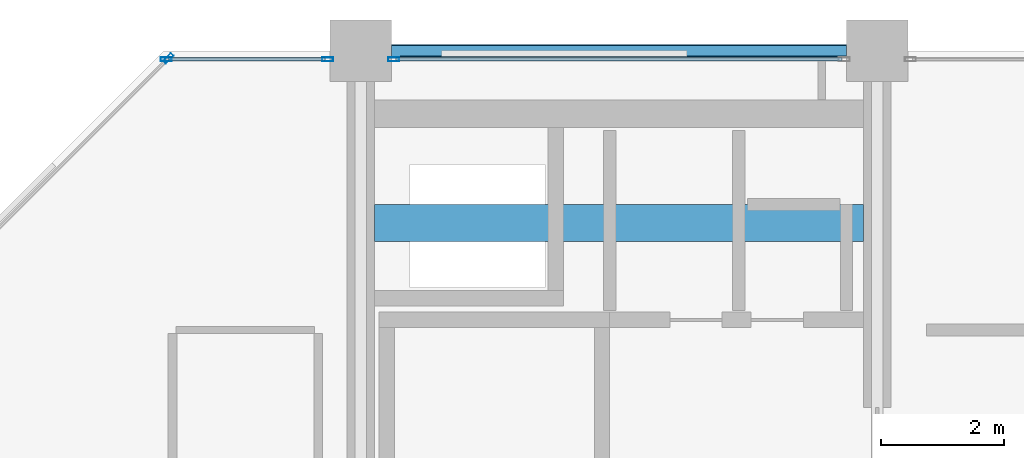
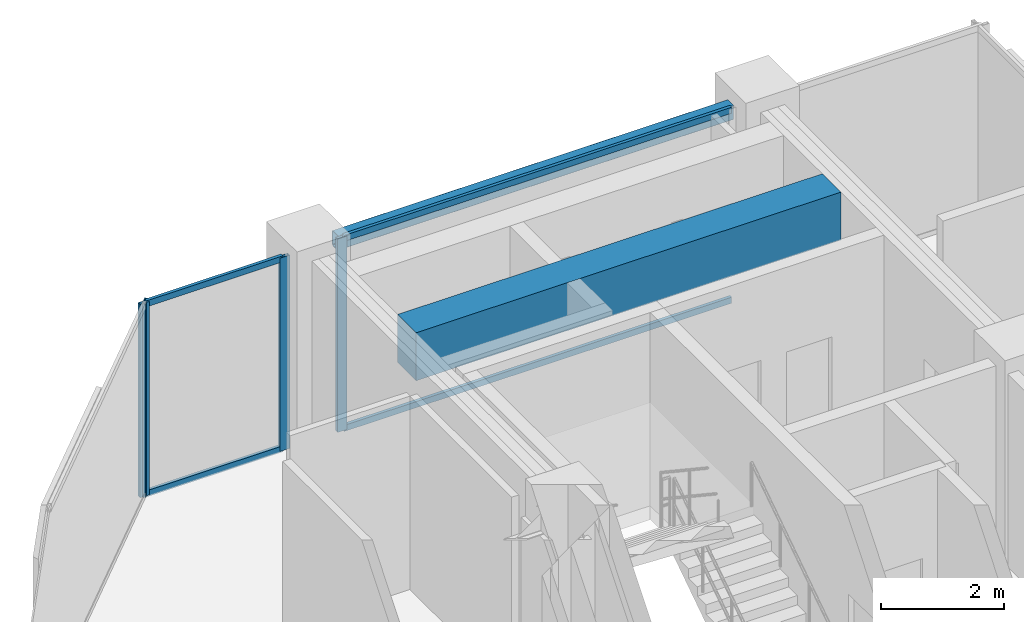
# One storey, part 17 of 25: 8 members, 2 beams, 3 elements without a shape of their own.
"""IFC4 building model written with IfcOpenShell, lengths in metres."""

import ifcopenshell
import ifcopenshell.guid

model = None  # the IFC model being written
_history = None  # IfcOwnerHistory: only IFC2X3 demands one
_inside = {}  # id of a spatial element -> (the spatial element, [elements in it])
_under = {}  # id of a project, library or spatial element -> (it, [spatial elements below it])
_declared = {}  # id of a project -> (the project, [libraries it declares])
_typed = {}  # id of a type object -> (the type object, [elements of that type])
_made_of = {}  # id of a material, layer set ... -> (it, [elements and type objects made of it])


def new_model(schema):
    """Start an empty IFC model of exactly this schema.

    Asked for "IFC4X3", IfcOpenShell would pick the latest addendum, in which some entities
    have other attributes; the version numbers below select the first issue.
    IFC2X3 requires an IfcOwnerHistory on every rooted entity: one is made here for all.
    """
    global model, _history
    if schema == "IFC4X3":
        model = ifcopenshell.file(schema_version=(4, 3, 0, 0))
    else:
        model = ifcopenshell.file(schema=schema)
    _inside.clear()
    _under.clear()
    _declared.clear()
    _typed.clear()
    _made_of.clear()
    _history = None
    if model.schema == "IFC2X3":
        org = make("IfcOrganization", Name="unknown")
        user = make(
            "IfcPersonAndOrganization",
            ThePerson=make("IfcPerson", FamilyName="unknown"),
            TheOrganization=org,
        )
        app = make(
            "IfcApplication",
            ApplicationDeveloper=org,
            Version="unknown",
            ApplicationFullName="unknown",
            ApplicationIdentifier="unknown",
        )
        _history = make(
            "IfcOwnerHistory",
            OwningUser=user,
            OwningApplication=app,
            ChangeAction="ADDED",
            CreationDate=0,
        )
    return model


def make(cls, **values):
    """One entity of the class cls with the attributes given. An attribute that is None is left unset."""
    return model.create_entity(
        cls, **{name: value for name, value in values.items() if value is not None}
    )


def rooted(cls, **values):
    """An entity with a GlobalId (a new one), such as an element, a storey or a relation."""
    return make(cls, GlobalId=ifcopenshell.guid.new(), OwnerHistory=_history, **values)


def si_unit(unit_type, name, prefix=None):
    """IfcSIUnit, for example si_unit("LENGTHUNIT", "METRE", prefix="MILLI")."""
    return make("IfcSIUnit", UnitType=unit_type, Prefix=prefix, Name=name)


def assignment(units):
    """IfcUnitAssignment: the units of a project."""
    return None if units is None else make("IfcUnitAssignment", Units=units)


def point(xyz):
    """IfcCartesianPoint."""
    return None if xyz is None else make("IfcCartesianPoint", Coordinates=xyz)


def direction(xyz):
    """IfcDirection."""
    return None if xyz is None else make("IfcDirection", DirectionRatios=xyz)


def frame(location, z_axis=None, x_axis=None):
    """IfcAxis2Placement3D, a coordinate frame: its origin and axes. An axis left out is left unset."""
    return make(
        "IfcAxis2Placement3D",
        Location=point(location),
        Axis=direction(z_axis),
        RefDirection=direction(x_axis),
    )


def frame_2d(location, x_axis=None):
    """IfcAxis2Placement2D, a coordinate frame in the plane: its origin and x axis."""
    return make(
        "IfcAxis2Placement2D", Location=point(location), RefDirection=direction(x_axis)
    )


def origin():
    """The frame at (0, 0, 0) with its axes left unset."""
    return frame((0.0, 0.0, 0.0))


def origin_2d():
    """The frame at (0, 0) in the plane with its x axis left unset."""
    return frame_2d((0.0, 0.0))


def place(relative_to, where):
    """IfcLocalPlacement: puts the frame where relative to a parent placement (None: the world)."""
    return make(
        "IfcLocalPlacement", PlacementRelTo=relative_to, RelativePlacement=where
    )


def context(
    kind, dimensions, precision=None, world=None, true_north=None, identifier=None
):
    """IfcGeometricRepresentationContext, for example the 3D "Model" context."""
    return make(
        "IfcGeometricRepresentationContext",
        ContextIdentifier=identifier,
        ContextType=kind,
        CoordinateSpaceDimension=dimensions,
        Precision=precision,
        WorldCoordinateSystem=world,
        TrueNorth=true_north,
    )


def subcontext(parent, identifier, kind, view, scale=None):
    """IfcGeometricRepresentationSubContext, for example "Body" below "Model"."""
    return make(
        "IfcGeometricRepresentationSubContext",
        ContextIdentifier=identifier,
        ContextType=kind,
        ParentContext=parent,
        TargetScale=scale,
        TargetView=view,
    )


def project(units=None, contexts=None):
    """IfcProject with its units and contexts."""
    return rooted(
        "IfcProject",
        Name="project",
        RepresentationContexts=contexts,
        UnitsInContext=assignment(units),
    )


def spatial(cls, under=None, at=None, **own):
    """A site, building, storey or space (cls), placed at a placement, below another one or the project."""
    s = rooted(cls, ObjectPlacement=at, **own)
    if under is not None:
        _under.setdefault(under.id(), (under, []))[1].append(s)
    return s


def profile(cls, at=None, kind="AREA", **sizes):
    """A parametric profile (cls). Its sizes go by their IFC names, for example OverallWidth=200.0."""
    return make(cls, ProfileType=kind, Position=at, **sizes)


def rectangle(**sizes):
    """IfcRectangleProfileDef."""
    return profile("IfcRectangleProfileDef", **sizes)


def hollow_rectangle(**sizes):
    """IfcRectangleHollowProfileDef."""
    return profile("IfcRectangleHollowProfileDef", **sizes)


def extrude(swept, where, along, depth):
    """IfcExtrudedAreaSolid: the profile swept, set in the frame where, extruded along a direction by depth."""
    return make(
        "IfcExtrudedAreaSolid",
        SweptArea=swept,
        Position=where,
        ExtrudedDirection=direction(along),
        Depth=depth,
    )


def shape(context_of_items, identifier, shape_type, items):
    """IfcShapeRepresentation: the items that make up one representation, for example the "Body"."""
    return make(
        "IfcShapeRepresentation",
        ContextOfItems=context_of_items,
        RepresentationIdentifier=identifier,
        RepresentationType=shape_type,
        Items=items,
    )


def material(Name=None, Category=None):
    """IfcMaterial."""
    return make("IfcMaterial", Name=Name, Category=Category)


def layer(
    of_material, thickness, ventilated=None, Name=None, Category=None, Priority=None
):
    """IfcMaterialLayer: one layer of a wall or slab, of a material (None: an air gap)."""
    return make(
        "IfcMaterialLayer",
        Material=of_material,
        LayerThickness=thickness,
        IsVentilated=ventilated,
        Name=Name,
        Category=Category,
        Priority=Priority,
    )


def layer_set(layers, Name=None):
    """IfcMaterialLayerSet."""
    return make("IfcMaterialLayerSet", MaterialLayers=layers, LayerSetName=Name)


def material_profile(
    of_material, cross_section, Name=None, Category=None, Priority=None
):
    """IfcMaterialProfile: a cross section and its material."""
    return make(
        "IfcMaterialProfile",
        Name=Name,
        Material=of_material,
        Profile=cross_section,
        Priority=Priority,
        Category=Category,
    )


def profile_set(profiles, Name=None, composite=None):
    """IfcMaterialProfileSet."""
    return make(
        "IfcMaterialProfileSet",
        Name=Name,
        MaterialProfiles=profiles,
        CompositeProfile=composite,
    )


def made_of(thing, what):
    """Note that an element or type object is made of a material, layer set ...; save() writes the relation."""
    if what is not None:
        _made_of.setdefault(what.id(), (what, []))[1].append(thing)
    return thing


def type_object(cls, material=None, **own):
    """A type object (cls), such as IfcWallType, which elements share."""
    return made_of(rooted(cls, **own), material)


def element(
    cls,
    number,
    at=None,
    inside=None,
    cuts=None,
    type_object=None,
    material=None,
    context=None,
    identifier="Body",
    shape_type=None,
    held_by="IfcProductDefinitionShape",
    body=None,
    shapes=None,
    **own,
):
    """One element of the class cls, such as IfcWall. Its Tag is "e" and its number.

    at: its placement. inside: the storey or other place that contains it. cuts: it is an
    opening in that element (IfcRelVoidsElement). A single representation is given by context,
    identifier, shape_type and body (its items); several are given by shapes. held_by: the class
    of the entity that holds the representations. save() writes the other relations.
    """
    e = rooted(cls, Tag="e%d" % number, ObjectPlacement=at, **own)
    if body is not None:
        shapes = [shape(context, identifier, shape_type, body)]
    if shapes is not None:
        e.Representation = make(held_by, Representations=shapes)
    if inside is not None:
        _inside.setdefault(inside.id(), (inside, []))[1].append(e)
    if cuts is not None:
        rooted(
            "IfcRelVoidsElement", RelatingBuildingElement=cuts, RelatedOpeningElement=e
        )
    if type_object is not None:
        _typed.setdefault(type_object.id(), (type_object, []))[1].append(e)
    return made_of(e, material)


def aggregate(whole, parts):
    """IfcRelAggregates: a whole, such as a stair, and the parts it consists of."""
    return rooted("IfcRelAggregates", RelatingObject=whole, RelatedObjects=parts)


def save(model, path):
    """Write the relations noted so far, then the file.

    IfcRelAggregates (storeys below a building ...), IfcRelContainedInSpatialStructure (elements
    in a storey), IfcRelDefinesByType, IfcRelAssociatesMaterial and IfcRelDeclares: one each for
    every whole, place, type object, material and project.
    """
    for whole, parts in _under.values():
        aggregate(whole, parts)
    for where, things in _inside.values():
        rooted(
            "IfcRelContainedInSpatialStructure",
            RelatedElements=things,
            RelatingStructure=where,
        )
    for kind, things in _typed.values():
        rooted("IfcRelDefinesByType", RelatedObjects=things, RelatingType=kind)
    for what, things in _made_of.values():
        rooted("IfcRelAssociatesMaterial", RelatedObjects=things, RelatingMaterial=what)
    for by, libraries in _declared.values():
        rooted("IfcRelDeclares", RelatingContext=by, RelatedDefinitions=libraries)
    model.write(path)


model = new_model("IFC4")

# Units and contexts
model_context = context("Model", 3, precision=1e-05, world=origin(), true_north=direction((0.0, 1.0)))
body_context = subcontext(model_context, "Body", "Model", "MODEL_VIEW")
ifc_project = project(units=[si_unit("LENGTHUNIT", "METRE"), si_unit("AREAUNIT", "SQUARE_METRE"), si_unit("VOLUMEUNIT", "CUBIC_METRE"), si_unit("PLANEANGLEUNIT", "RADIAN"), si_unit("MASSUNIT", "GRAM", prefix="KILO")], contexts=[model_context])

# Site, building, storey
site_placement = place(None, origin())
site = spatial("IfcSite", under=ifc_project, at=site_placement, CompositionType="ELEMENT")
building_placement = place(site_placement, origin())
building = spatial("IfcBuilding", under=site, at=building_placement, Name="Nerrivon Quay Data Exchange", CompositionType="ELEMENT")
storey_placement = place(building_placement, frame((0.0, 0.0, 232.89990234375)))
storey = spatial("IfcBuildingStorey", under=building, at=storey_placement, Name="L55", CompositionType="ELEMENT", Elevation=232.89990234375)

# Beams
ifc_material_1 = material(Name="Concrete N50 (50 MPa)", Category="concrete")
ifc_material_profile_1 = material_profile(ifc_material_1, rectangle(XDim=0.60009765625, YDim=0.949951171875, at=origin_2d()), Name="RC-CB-600x950")
ifc_profile_set_1 = profile_set([ifc_material_profile_1], Name="Concrete N50 (50 MPa)")
beam_type_1 = type_object("IfcBeamType", Name="BM-CB2-600x950", PredefinedType="LINTEL", material=ifc_profile_set_1)
beam_1_placement = place(storey_placement, frame((8.625, 39.199951171875, 3.35009765625), z_axis=(1.0, 0.0, 0.0), x_axis=(0.0, 1.0, 0.0)))
element("IfcBeam", 1, at=beam_1_placement, inside=storey, type_object=beam_type_1, Name="L55 West Core Coupling Beam", PredefinedType="LINTEL", context=body_context, shape_type="SweptSolid", body=[
    extrude(rectangle(XDim=0.60009765625, YDim=0.949951171875, at=origin_2d()), origin(), (0.0, 0.0, 1.0), 7.949951171875),
])
ifc_material_2 = material(Name="Steel Grade C350L0 (350 MPa)", Category="steel")
ifc_material_profile_2 = material_profile(ifc_material_2, hollow_rectangle(XDim=0.199951171875, YDim=0.300048828125, WallThickness=0.012451171875, InnerFilletRadius=0.018798828125, OuterFilletRadius=0.03125, at=origin_2d()), Name="300x200x12.5RHS")
ifc_profile_set_2 = profile_set([ifc_material_profile_2], Name="Steel Grade C350L0 (350 MPa)")
beam_type_2 = type_object("IfcBeamType", Name="BM-SP3-300x200RHS", PredefinedType="SPANDREL", material=ifc_profile_set_2)
beam_2_placement = place(storey_placement, frame((8.89990234375, 42.0, 3.675048828125), z_axis=(1.0, 0.0, 0.0), x_axis=(0.0, 1.0, 0.0)))
element("IfcBeam", 2, at=beam_2_placement, inside=storey, type_object=beam_type_2, Name="L55 EW Girder Y=42.0 (8.4..16.8)", PredefinedType="SPANDREL", context=body_context, shape_type="SweptSolid", body=[
    extrude(hollow_rectangle(XDim=0.199951171875, YDim=0.300048828125, WallThickness=0.012451171875, InnerFilletRadius=0.018798828125, OuterFilletRadius=0.03125, at=origin_2d()), origin(), (0.0, 0.0, 1.0), 7.400146484375),
])

# Curtain wall, member
ifc_material_3 = material(Name="Anodised aluminium 6063-T6", Category="aluminium")
ifc_layer = layer(ifc_material_3, 0.195068359375)
ifc_layer_set = layer_set([ifc_layer], Name="Anodised aluminium 6063-T6")
curtain_wall_type = type_object("IfcCurtainWallType", Name="CW-SYS-06", PredefinedType="NOTDEFINED", material=ifc_layer_set)
curtain_wall_1_placement = place(storey_placement, origin())
curtain_wall_1 = element("IfcCurtainWall", 3, at=curtain_wall_1_placement, inside=storey, type_object=curtain_wall_type, Name="L55 Unitised Curtain Wall 16", PredefinedType="NOTDEFINED")
ifc_material_profile_3 = material_profile(ifc_material_3, hollow_rectangle(XDim=0.06494140625, YDim=0.179931640625, WallThickness=0.00341796875, at=origin_2d()), Name="ALU-MULL-180x65")
ifc_profile_set_3 = profile_set([ifc_material_profile_3], Name="Anodised aluminium 6063-T6")
member_type_1 = type_object("IfcMemberType", Name="CWM-180x65", PredefinedType="MULLION", material=ifc_profile_set_3)
member_1_placement = place(storey_placement, frame((5.2724609375, 41.87451171875, 0.0), z_axis=(0.0, 0.0, 1.0), x_axis=(-0.707106781187, 0.707106781187, 0.0)))
member_1 = element("IfcMember", 4, at=member_1_placement, type_object=member_type_1, Name="CW06 mullion 2", PredefinedType="MULLION", context=body_context, shape_type="SweptSolid", body=[
    extrude(hollow_rectangle(XDim=0.06494140625, YDim=0.179931640625, WallThickness=0.00341796875, at=origin_2d()), origin(), (0.0, 0.0, 1.0), 3.8251953125),
])
aggregate(curtain_wall_1, [member_1])

# Curtain wall, members
curtain_wall_2_placement = place(storey_placement, origin())
curtain_wall_2 = element("IfcCurtainWall", 5, at=curtain_wall_2_placement, inside=storey, type_object=curtain_wall_type, Name="L55 Unitised Curtain Wall 17", PredefinedType="NOTDEFINED")
member_2_placement = place(storey_placement, frame((5.237548828125, 41.860107421875, 0.0), z_axis=(0.0, 0.0, 1.0), x_axis=(0.0, 1.0, 0.0)))
member_2 = element("IfcMember", 6, at=member_2_placement, type_object=member_type_1, Name="CW06 mullion 1", PredefinedType="MULLION", context=body_context, shape_type="SweptSolid", body=[
    extrude(hollow_rectangle(XDim=0.06494140625, YDim=0.179931640625, WallThickness=0.00341796875, at=origin_2d()), origin(), (0.0, 0.0, 1.0), 3.8251953125),
])
member_3_placement = place(storey_placement, frame((7.862548828125, 41.860107421875, 0.0), z_axis=(0.0, 0.0, 1.0), x_axis=(0.0, 1.0, 0.0)))
member_3 = element("IfcMember", 7, at=member_3_placement, type_object=member_type_1, Name="CW06 mullion 2", PredefinedType="MULLION", context=body_context, shape_type="SweptSolid", body=[
    extrude(hollow_rectangle(XDim=0.06494140625, YDim=0.179931640625, WallThickness=0.00341796875, at=origin_2d()), origin(), (0.0, 0.0, 1.0), 3.8251953125),
])

# Curtain wall, member
curtain_wall_3_placement = place(storey_placement, origin())
curtain_wall_3 = element("IfcCurtainWall", 8, at=curtain_wall_3_placement, inside=storey, type_object=curtain_wall_type, Name="L55 Unitised Curtain Wall 18", PredefinedType="NOTDEFINED")
member_4_placement = place(storey_placement, frame((8.9375, 41.860107421875, 0.0), z_axis=(0.0, 0.0, 1.0), x_axis=(0.0, 1.0, 0.0)))
member_4 = element("IfcMember", 9, at=member_4_placement, type_object=member_type_1, Name="CW06 mullion 1", PredefinedType="MULLION", context=body_context, shape_type="SweptSolid", body=[
    extrude(hollow_rectangle(XDim=0.06494140625, YDim=0.179931640625, WallThickness=0.00341796875, at=origin_2d()), origin(), (0.0, 0.0, 1.0), 3.8251953125),
])

# Member
ifc_material_profile_4 = material_profile(ifc_material_3, hollow_rectangle(XDim=0.06005859375, YDim=0.1201171875, WallThickness=0.003173828125, at=origin_2d()), Name="ALU-TRAN-120x60")
ifc_profile_set_4 = profile_set([ifc_material_profile_4], Name="Anodised aluminium 6063-T6")
member_type_2 = type_object("IfcMemberType", Name="CWT-120x60", PredefinedType="USERDEFINED", material=ifc_profile_set_4)
member_5_placement = place(storey_placement, frame((5.27490234375, 41.860107421875, 0.03271484375), z_axis=(1.0, 0.0, 0.0), x_axis=(0.0, 1.0, 0.0)))
member_5 = element("IfcMember", 10, at=member_5_placement, type_object=member_type_2, Name="CW06 transom 1.1", ObjectType="TRANSOM", PredefinedType="USERDEFINED", context=body_context, shape_type="SweptSolid", body=[
    extrude(hollow_rectangle(XDim=0.06005859375, YDim=0.1201171875, WallThickness=0.003173828125, at=origin_2d()), origin(), (0.0, 0.0, 1.0), 2.550048828125),
])

member_6_placement = place(storey_placement, frame((5.27490234375, 41.860107421875, 3.79248046875), z_axis=(1.0, 0.0, 0.0), x_axis=(0.0, 1.0, 0.0)))
member_6 = element("IfcMember", 11, at=member_6_placement, type_object=member_type_2, Name="CW06 transom 1.2", ObjectType="TRANSOM", PredefinedType="USERDEFINED", context=body_context, shape_type="SweptSolid", body=[
    extrude(hollow_rectangle(XDim=0.06005859375, YDim=0.1201171875, WallThickness=0.003173828125, at=origin_2d()), origin(), (0.0, 0.0, 1.0), 2.550048828125),
])

aggregate(curtain_wall_2, [member_2, member_3, member_5, member_6])

member_7_placement = place(storey_placement, frame((8.97509765625, 41.860107421875, 0.03271484375), z_axis=(1.0, 0.0, 0.0), x_axis=(0.0, 1.0, 0.0)))
member_7 = element("IfcMember", 12, at=member_7_placement, type_object=member_type_2, Name="CW06 transom 1.1", ObjectType="TRANSOM", PredefinedType="USERDEFINED", context=body_context, shape_type="SweptSolid", body=[
    extrude(hollow_rectangle(XDim=0.06005859375, YDim=0.1201171875, WallThickness=0.003173828125, at=origin_2d()), origin(), (0.0, 0.0, 1.0), 7.25),
])

member_8_placement = place(storey_placement, frame((8.97509765625, 41.860107421875, 3.79248046875), z_axis=(1.0, 0.0, 0.0), x_axis=(0.0, 1.0, 0.0)))
member_8 = element("IfcMember", 13, at=member_8_placement, type_object=member_type_2, Name="CW06 transom 1.2", ObjectType="TRANSOM", PredefinedType="USERDEFINED", context=body_context, shape_type="SweptSolid", body=[
    extrude(hollow_rectangle(XDim=0.06005859375, YDim=0.1201171875, WallThickness=0.003173828125, at=origin_2d()), origin(), (0.0, 0.0, 1.0), 7.25),
])

aggregate(curtain_wall_3, [member_4, member_7, member_8])

save(model, "model.ifc")
